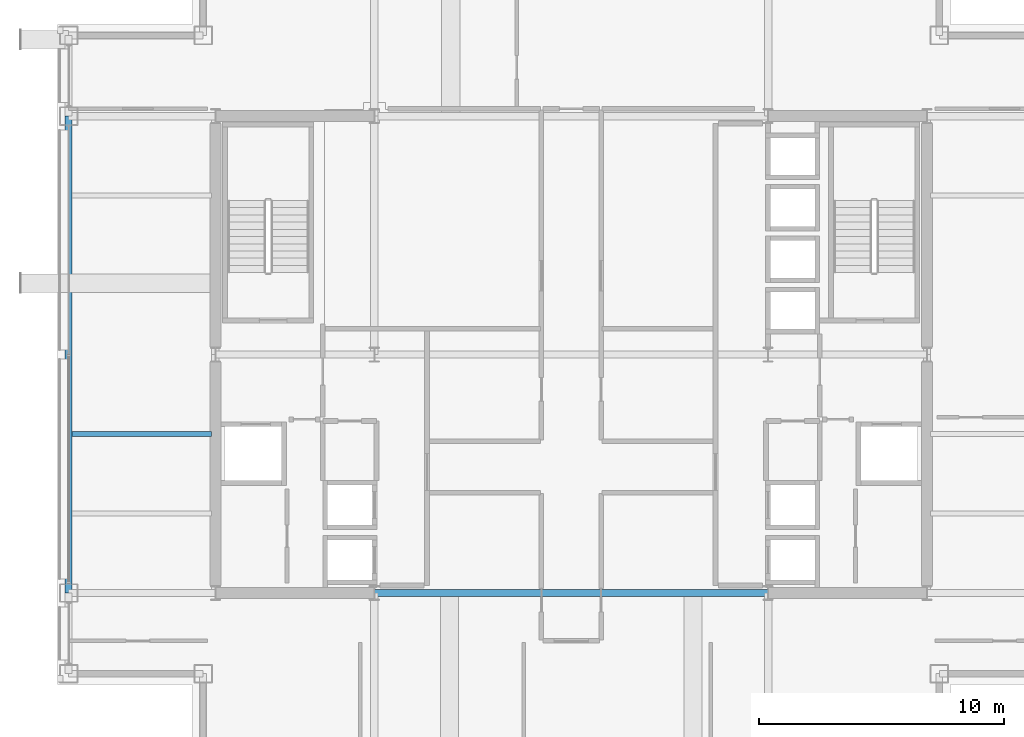
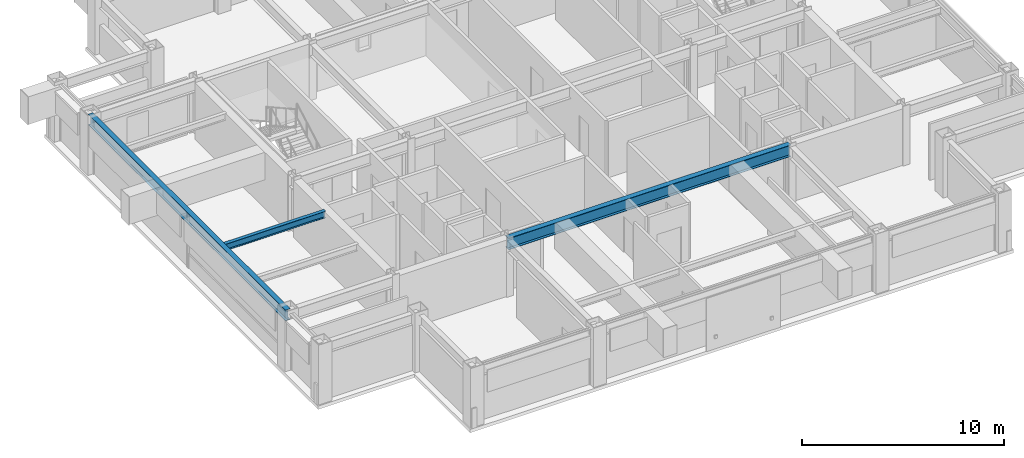
# One storey, part 7 of 28: 3 beams.
"""IFC4 building model written with IfcOpenShell, lengths in metres."""

from ifc_helpers import new_model, si_unit, direction, frame, origin, origin_2d, place, context, subcontext, project, spatial, i_section, extrude, material, material_profile, profile_set, type_object, element, save


model = new_model("IFC4")

# Units and contexts
model_context = context("Model", 3, precision=1e-05, world=origin(), true_north=direction((0.0, 1.0)))
body_context = subcontext(model_context, "Body", "Model", "MODEL_VIEW")
ifc_project = project(units=[si_unit("LENGTHUNIT", "METRE"), si_unit("AREAUNIT", "SQUARE_METRE"), si_unit("VOLUMEUNIT", "CUBIC_METRE"), si_unit("PLANEANGLEUNIT", "RADIAN"), si_unit("MASSUNIT", "GRAM", prefix="KILO")], contexts=[model_context])

# Site, building, storey
site_placement = place(None, origin())
site = spatial("IfcSite", under=ifc_project, at=site_placement, CompositionType="ELEMENT")
building_placement = place(site_placement, origin())
building = spatial("IfcBuilding", under=site, at=building_placement, Name="Brelmoor Portico Tower", CompositionType="ELEMENT")
storey_placement = place(building_placement, frame((0.0, 0.0, 155.10009765625)))
storey = spatial("IfcBuildingStorey", under=building, at=storey_placement, Name="L40", CompositionType="ELEMENT", Elevation=155.10009765625)

# Beams
ifc_material = material(Name="Steel Q355B", Category="steel")
ifc_material_profile_1 = material_profile(ifc_material, i_section(OverallWidth=0.199951171875, OverallDepth=0.39990234375, WebThickness=0.008056640625, FlangeThickness=0.012939453125, at=origin_2d()), Name="HN 400x200x8x13")
ifc_profile_set_1 = profile_set([ifc_material_profile_1], Name="Steel Q355B")
beam_type_1 = type_object("IfcBeamType", Name="BM-JS-400", PredefinedType="JOIST", material=ifc_profile_set_1)
beam_1_placement = place(storey_placement, frame((-20.409912109375, -3.25, 3.199951171875), z_axis=(1.0, 0.0, 0.0), x_axis=(0.0, 1.0, 0.0)))
element("IfcBeam", 1, at=beam_1_placement, inside=storey, type_object=beam_type_1, Name="L40 Secondary Wing Joist JS-W04", PredefinedType="JOIST", context=body_context, shape_type="SweptSolid", body=[
    extrude(i_section(OverallWidth=0.199951171875, OverallDepth=0.39990234375, WebThickness=0.008056640625, FlangeThickness=0.012939453125, at=origin_2d()), origin(), (0.0, 0.0, 1.0), 5.7099609375),
])
ifc_material_profile_2 = material_profile(ifc_material, i_section(OverallWidth=0.300048828125, OverallDepth=0.699951171875, WebThickness=0.012939453125, FlangeThickness=0.02392578125, at=origin_2d()), Name="HN 700x300x13x24")
ifc_profile_set_2 = profile_set([ifc_material_profile_2], Name="Steel Q355B")
beam_type_2 = type_object("IfcBeamType", Name="BM-PG-700", PredefinedType="BEAM", material=ifc_profile_set_2)
beam_2_placement = place(storey_placement, frame((-8.050048828125, -9.75, 3.0498046875), z_axis=(1.0, 0.0, 0.0), x_axis=(0.0, 1.0, 0.0)))
element("IfcBeam", 2, at=beam_2_placement, inside=storey, type_object=beam_type_2, Name="L40 Primary Floor Girder PG-12", PredefinedType="BEAM", context=body_context, shape_type="SweptSolid", body=[
    extrude(i_section(OverallWidth=0.300048828125, OverallDepth=0.699951171875, WebThickness=0.012939453125, FlangeThickness=0.02392578125, at=origin_2d()), origin(), (0.0, 0.0, 1.0), 16.10009765625),
])
ifc_material_profile_3 = material_profile(ifc_material, i_section(OverallWidth=0.280029296875, OverallDepth=0.64990234375, WebThickness=0.012939453125, FlangeThickness=0.02197265625, at=origin_2d()), Name="HN 650x280x13x22")
ifc_profile_set_3 = profile_set([ifc_material_profile_3], Name="Steel Q355B")
beam_type_3 = type_object("IfcBeamType", Name="BM-SP-650", PredefinedType="SPANDREL", material=ifc_profile_set_3)
beam_3_placement = place(storey_placement, frame((-20.550048828125, -9.75, 3.074951171875), z_axis=(0.0, 1.0, 0.0), x_axis=(-1.0, 0.0, 0.0)))
element("IfcBeam", 3, at=beam_3_placement, inside=storey, type_object=beam_type_3, Name="L40 Perimeter Spandrel Beam SP-12", PredefinedType="SPANDREL", context=body_context, shape_type="SweptSolid", body=[
    extrude(i_section(OverallWidth=0.280029296875, OverallDepth=0.64990234375, WebThickness=0.012939453125, FlangeThickness=0.02197265625, at=origin_2d()), origin(), (0.0, 0.0, 1.0), 19.5),
])

save(model, "model.ifc")
